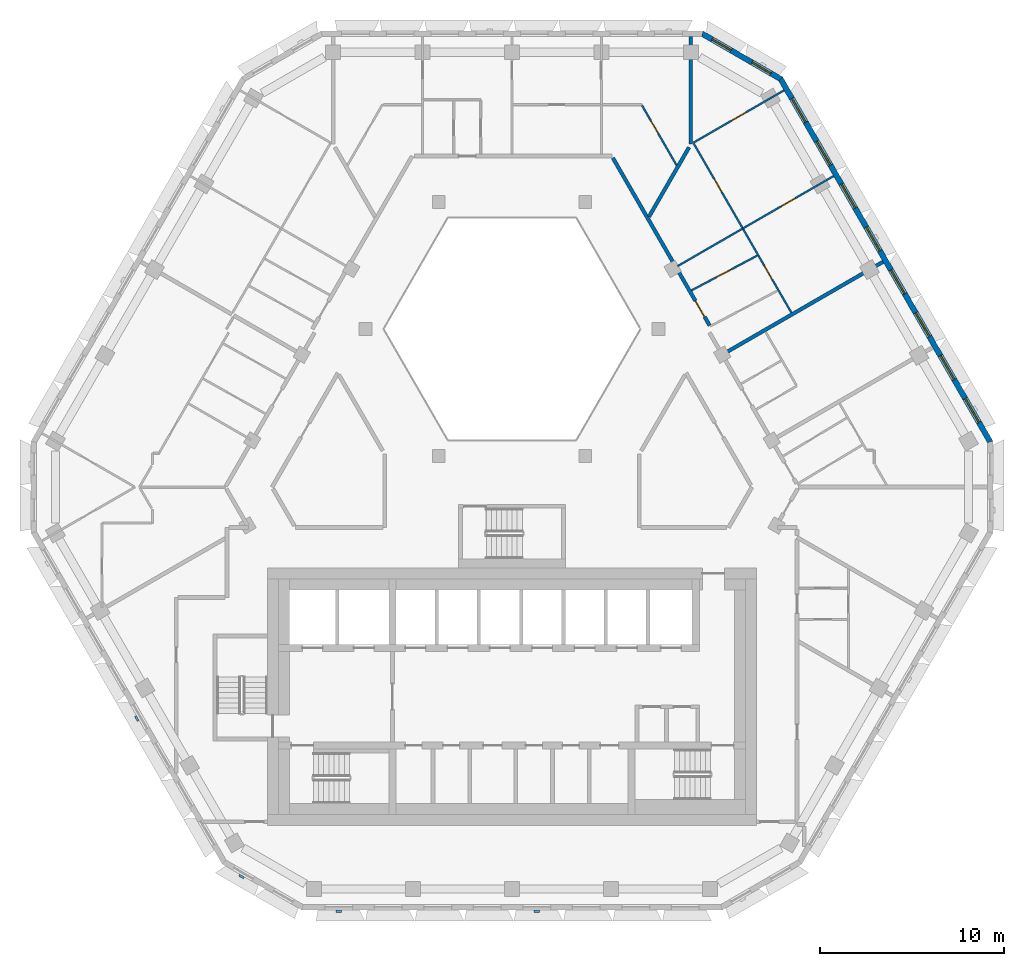
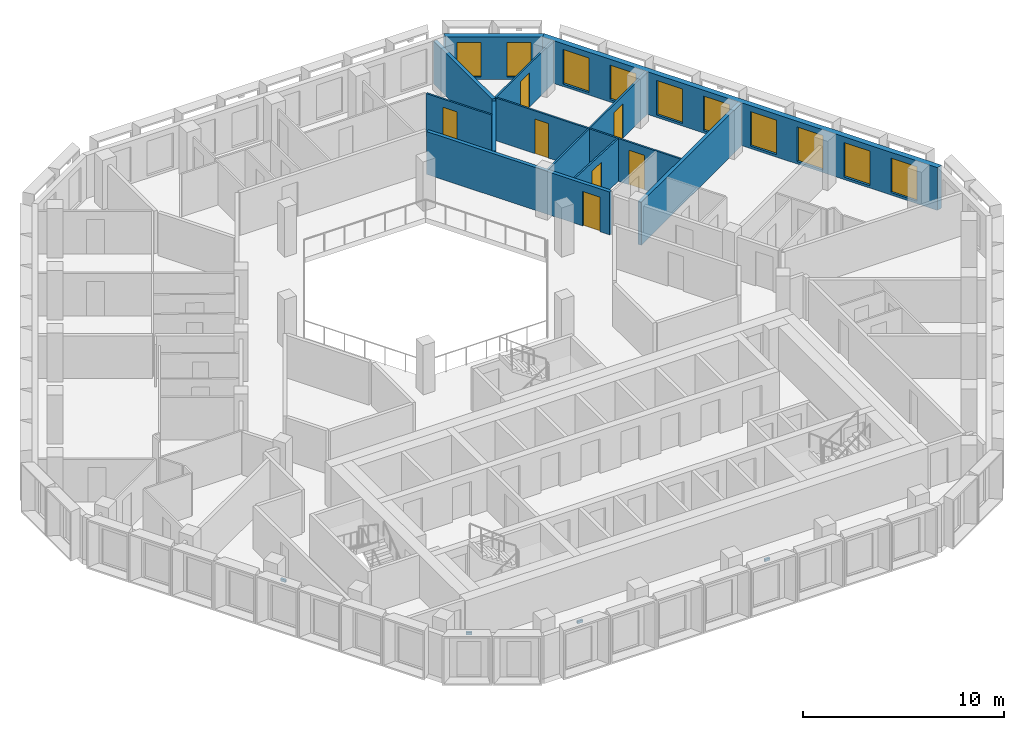
# One storey, part 9 of 18: 12 walls, 10 windows, 7 doors, 4 discrete accessories, 17 openings.
"""IFC4 building model written with IfcOpenShell, lengths in metres."""

from ifc_helpers import new_model, si_unit, direction, frame, frame_2d, origin, place, context, subcontext, project, spatial, polyline, rectangle, outline, extrude, source, transform, mapped, material, layer, layer_set, type_object, type_shapes, element, fill, save


model = new_model("IFC4")

# Units and contexts
model_context = context("Model", 3, precision=1e-05, world=origin(), true_north=direction((0.0, 1.0)))
body_context = subcontext(model_context, "Body", "Model", "MODEL_VIEW")
ifc_project = project(units=[si_unit("LENGTHUNIT", "METRE"), si_unit("AREAUNIT", "SQUARE_METRE"), si_unit("VOLUMEUNIT", "CUBIC_METRE"), si_unit("PLANEANGLEUNIT", "RADIAN"), si_unit("MASSUNIT", "GRAM", prefix="KILO")], contexts=[model_context])

# Site, building, storey
site_placement = place(None, origin())
site = spatial("IfcSite", under=ifc_project, at=site_placement, CompositionType="ELEMENT")
building_placement = place(site_placement, origin())
building = spatial("IfcBuilding", under=site, at=building_placement, Name="Beryl Residences", CompositionType="ELEMENT")
storey_placement = place(building_placement, frame((0.0, 0.0, 196.199951171875)))
storey = spatial("IfcBuildingStorey", under=building, at=storey_placement, Name="L60", CompositionType="ELEMENT", Elevation=196.199951171875)

# Wall, openings, windows
ifc_material_1 = material(Name="Composite metal panel with mineral wool insulation")
ifc_layer_1 = layer(ifc_material_1, 0.300048828125)
ifc_layer_set_1 = layer_set([ifc_layer_1], Name="ES1 pale metal composite panel wall 300 mm")
wall_type_1 = type_object("IfcWallType", Name="ES1 pale metal composite panel wall 300 mm", PredefinedType="SOLIDWALL", material=ifc_layer_set_1)
wall_1_placement = place(storey_placement, frame((26.02392578125, 1.824951171875, 0.0), z_axis=(0.0, 0.0, 1.0), x_axis=(-0.500010537973, 0.866019319597, 0.0)))
wall_1 = element("IfcWall", 1, at=wall_1_placement, inside=storey, type_object=wall_type_1, Name="ES1 external wall L60 NE", PredefinedType="SOLIDWALL", context=body_context, shape_type="SweptSolid", body=[
    extrude(outline(polyline([(0.0, -0.14990234375), (22.86328125, -0.14990234375), (22.782958984375, 0.14990234375), (0.080322265625, 0.14990234375), (0.0, -0.14990234375)])), origin(), (0.0, 0.0, 1.0), 2.60009765625),
])
opening_1_placement = place(wall_1_placement, frame((1.259033203125, 0.0, 0.14990234375)))
opening_1 = element("IfcOpeningElement", 2, at=opening_1_placement, cuts=wall_1, Name="Opening W1", PredefinedType="OPENING", context=body_context, shape_type="SweptSolid", body=[
    extrude(rectangle(XDim=1.5, YDim=2.10009765625, at=frame_2d((0.75, 1.050048828125))), frame((0.0, 0.159912109375, 0.0), z_axis=(0.0, -1.0, 0.0), x_axis=(1.0, 0.0, 0.0)), (0.0, 0.0, 1.0), 0.320068359375),
])
opening_2_placement = place(wall_1_placement, frame((3.951904296875, 0.0, 0.14990234375)))
opening_2 = element("IfcOpeningElement", 3, at=opening_2_placement, cuts=wall_1, Name="Opening W1", PredefinedType="OPENING", context=body_context, shape_type="SweptSolid", body=[
    extrude(rectangle(XDim=1.5, YDim=2.10009765625, at=frame_2d((0.75, 1.050048828125))), frame((0.0, 0.159912109375, 0.0), z_axis=(0.0, -1.0, 0.0), x_axis=(1.0, 0.0, 0.0)), (0.0, 0.0, 1.0), 0.320068359375),
])
opening_3_placement = place(wall_1_placement, frame((6.64404296875, 0.0, 0.14990234375)))
opening_3 = element("IfcOpeningElement", 4, at=opening_3_placement, cuts=wall_1, Name="Opening W1", PredefinedType="OPENING", context=body_context, shape_type="SweptSolid", body=[
    extrude(rectangle(XDim=1.5, YDim=2.10009765625, at=frame_2d((0.75, 1.050048828125))), frame((0.0, 0.159912109375, 0.0), z_axis=(0.0, -1.0, 0.0), x_axis=(1.0, 0.0, 0.0)), (0.0, 0.0, 1.0), 0.320068359375),
])
opening_4_placement = place(wall_1_placement, frame((9.3349609375, 0.0, 0.14990234375)))
opening_4 = element("IfcOpeningElement", 5, at=opening_4_placement, cuts=wall_1, Name="Opening W1", PredefinedType="OPENING", context=body_context, shape_type="SweptSolid", body=[
    extrude(rectangle(XDim=1.5, YDim=2.10009765625, at=frame_2d((0.75, 1.050048828125))), frame((0.0, 0.159912109375, 0.0), z_axis=(0.0, -1.0, 0.0), x_axis=(1.0, 0.0, 0.0)), (0.0, 0.0, 1.0), 0.320068359375),
])
opening_5_placement = place(wall_1_placement, frame((12.028076171875, 0.0, 0.14990234375)))
opening_5 = element("IfcOpeningElement", 6, at=opening_5_placement, cuts=wall_1, Name="Opening W1", PredefinedType="OPENING", context=body_context, shape_type="SweptSolid", body=[
    extrude(rectangle(XDim=1.5, YDim=2.10009765625, at=frame_2d((0.75, 1.050048828125))), frame((0.0, 0.159912109375, 0.0), z_axis=(0.0, -1.0, 0.0), x_axis=(1.0, 0.0, 0.0)), (0.0, 0.0, 1.0), 0.320068359375),
])
opening_6_placement = place(wall_1_placement, frame((14.719970703125, 0.0, 0.14990234375)))
opening_6 = element("IfcOpeningElement", 7, at=opening_6_placement, cuts=wall_1, Name="Opening W1", PredefinedType="OPENING", context=body_context, shape_type="SweptSolid", body=[
    extrude(rectangle(XDim=1.5, YDim=2.10009765625, at=frame_2d((0.75, 1.050048828125))), frame((0.0, 0.159912109375, 0.0), z_axis=(0.0, -1.0, 0.0), x_axis=(1.0, 0.0, 0.0)), (0.0, 0.0, 1.0), 0.320068359375),
])
opening_7_placement = place(wall_1_placement, frame((17.410888671875, 0.0, 0.14990234375)))
opening_7 = element("IfcOpeningElement", 8, at=opening_7_placement, cuts=wall_1, Name="Opening W1", PredefinedType="OPENING", context=body_context, shape_type="SweptSolid", body=[
    extrude(rectangle(XDim=1.5, YDim=2.10009765625, at=frame_2d((0.75, 1.050048828125))), frame((0.0, 0.159912109375, 0.0), z_axis=(0.0, -1.0, 0.0), x_axis=(1.0, 0.0, 0.0)), (0.0, 0.0, 1.0), 0.320068359375),
])
opening_8_placement = place(wall_1_placement, frame((20.10400390625, 0.0, 0.14990234375)))
opening_8 = element("IfcOpeningElement", 9, at=opening_8_placement, cuts=wall_1, Name="Opening W1", PredefinedType="OPENING", context=body_context, shape_type="SweptSolid", body=[
    extrude(rectangle(XDim=1.5, YDim=2.10009765625, at=frame_2d((0.75, 1.050048828125))), frame((0.0, 0.159912109375, 0.0), z_axis=(0.0, -1.0, 0.0), x_axis=(1.0, 0.0, 0.0)), (0.0, 0.0, 1.0), 0.320068359375),
])
ifc_material_2 = material(Name="Aluminium and clear glass", Category="aluminium")
window_type_1 = type_object("IfcWindowType", Name="W1 cell window 1500 x 2100 mm", PartitioningType="SINGLE_PANEL", PredefinedType="WINDOW", material=ifc_material_2)
window_1_placement = place(opening_1_placement, origin())
window_1 = element("IfcWindow", 10, at=window_1_placement, inside=storey, type_object=window_type_1, Name="W1 window L60 NE 1", OverallHeight=2.10009765625, OverallWidth=1.5, PartitioningType="SINGLE_PANEL", PredefinedType="WINDOW", context=body_context, shape_type="SweptSolid", body=[
    extrude(rectangle(XDim=1.5, YDim=2.10009765625, at=frame_2d((0.75, 1.050048828125))), frame((0.0, 0.030029296875, 0.0), z_axis=(0.0, -1.0, 0.0), x_axis=(1.0, 0.0, 0.0)), (0.0, 0.0, 1.0), 0.06005859375),
])
fill(opening_1, window_1)
window_2_placement = place(opening_2_placement, origin())
window_2 = element("IfcWindow", 11, at=window_2_placement, inside=storey, type_object=window_type_1, Name="W1 window L60 NE 2", OverallHeight=2.10009765625, OverallWidth=1.5, PartitioningType="SINGLE_PANEL", PredefinedType="WINDOW", context=body_context, shape_type="SweptSolid", body=[
    extrude(rectangle(XDim=1.5, YDim=2.10009765625, at=frame_2d((0.75, 1.050048828125))), frame((0.0, 0.030029296875, 0.0), z_axis=(0.0, -1.0, 0.0), x_axis=(1.0, 0.0, 0.0)), (0.0, 0.0, 1.0), 0.06005859375),
])
fill(opening_2, window_2)
window_3_placement = place(opening_3_placement, origin())
window_3 = element("IfcWindow", 12, at=window_3_placement, inside=storey, type_object=window_type_1, Name="W1 window L60 NE 3", OverallHeight=2.10009765625, OverallWidth=1.5, PartitioningType="SINGLE_PANEL", PredefinedType="WINDOW", context=body_context, shape_type="SweptSolid", body=[
    extrude(rectangle(XDim=1.5, YDim=2.10009765625, at=frame_2d((0.75, 1.050048828125))), frame((0.0, 0.030029296875, 0.0), z_axis=(0.0, -1.0, 0.0), x_axis=(1.0, 0.0, 0.0)), (0.0, 0.0, 1.0), 0.06005859375),
])
fill(opening_3, window_3)
window_4_placement = place(opening_4_placement, origin())
window_4 = element("IfcWindow", 13, at=window_4_placement, inside=storey, type_object=window_type_1, Name="W1 window L60 NE 4", OverallHeight=2.10009765625, OverallWidth=1.5, PartitioningType="SINGLE_PANEL", PredefinedType="WINDOW", context=body_context, shape_type="SweptSolid", body=[
    extrude(rectangle(XDim=1.5, YDim=2.10009765625, at=frame_2d((0.75, 1.050048828125))), frame((0.0, 0.030029296875, 0.0), z_axis=(0.0, -1.0, 0.0), x_axis=(1.0, 0.0, 0.0)), (0.0, 0.0, 1.0), 0.06005859375),
])
fill(opening_4, window_4)
window_5_placement = place(opening_5_placement, origin())
window_5 = element("IfcWindow", 14, at=window_5_placement, inside=storey, type_object=window_type_1, Name="W1 window L60 NE 5", OverallHeight=2.10009765625, OverallWidth=1.5, PartitioningType="SINGLE_PANEL", PredefinedType="WINDOW", context=body_context, shape_type="SweptSolid", body=[
    extrude(rectangle(XDim=1.5, YDim=2.10009765625, at=frame_2d((0.75, 1.050048828125))), frame((0.0, 0.030029296875, 0.0), z_axis=(0.0, -1.0, 0.0), x_axis=(1.0, 0.0, 0.0)), (0.0, 0.0, 1.0), 0.06005859375),
])
fill(opening_5, window_5)
window_6_placement = place(opening_6_placement, origin())
window_6 = element("IfcWindow", 15, at=window_6_placement, inside=storey, type_object=window_type_1, Name="W1 window L60 NE 6", OverallHeight=2.10009765625, OverallWidth=1.5, PartitioningType="SINGLE_PANEL", PredefinedType="WINDOW", context=body_context, shape_type="SweptSolid", body=[
    extrude(rectangle(XDim=1.5, YDim=2.10009765625, at=frame_2d((0.75, 1.050048828125))), frame((0.0, 0.030029296875, 0.0), z_axis=(0.0, -1.0, 0.0), x_axis=(1.0, 0.0, 0.0)), (0.0, 0.0, 1.0), 0.06005859375),
])
fill(opening_6, window_6)
window_7_placement = place(opening_7_placement, origin())
window_7 = element("IfcWindow", 16, at=window_7_placement, inside=storey, type_object=window_type_1, Name="W1 window L60 NE 7", OverallHeight=2.10009765625, OverallWidth=1.5, PartitioningType="SINGLE_PANEL", PredefinedType="WINDOW", context=body_context, shape_type="SweptSolid", body=[
    extrude(rectangle(XDim=1.5, YDim=2.10009765625, at=frame_2d((0.75, 1.050048828125))), frame((0.0, 0.030029296875, 0.0), z_axis=(0.0, -1.0, 0.0), x_axis=(1.0, 0.0, 0.0)), (0.0, 0.0, 1.0), 0.06005859375),
])
fill(opening_7, window_7)
window_8_placement = place(opening_8_placement, origin())
window_8 = element("IfcWindow", 17, at=window_8_placement, inside=storey, type_object=window_type_1, Name="W1 window L60 NE 8", OverallHeight=2.10009765625, OverallWidth=1.5, PartitioningType="SINGLE_PANEL", PredefinedType="WINDOW", context=body_context, shape_type="SweptSolid", body=[
    extrude(rectangle(XDim=1.5, YDim=2.10009765625, at=frame_2d((0.75, 1.050048828125))), frame((0.0, 0.030029296875, 0.0), z_axis=(0.0, -1.0, 0.0), x_axis=(1.0, 0.0, 0.0)), (0.0, 0.0, 1.0), 0.06005859375),
])
fill(opening_8, window_8)

wall_2_placement = place(storey_placement, frame((14.64697265625, 21.570068359375, 0.0), z_axis=(0.0, 0.0, 1.0), x_axis=(-0.866022959057, 0.500004234368, 0.0)))
wall_2 = element("IfcWall", 18, at=wall_2_placement, inside=storey, type_object=wall_type_1, Name="ES1 external wall L60 NE-N", PredefinedType="SOLIDWALL", context=body_context, shape_type="SweptSolid", body=[
    extrude(outline(polyline([(0.0, -0.14990234375), (5.0, -0.14990234375), (4.919677734375, 0.14990234375), (0.080322265625, 0.14990234375), (0.0, -0.14990234375)])), origin(), (0.0, 0.0, 1.0), 2.60009765625),
])
opening_9_placement = place(wall_2_placement, frame((0.64990234375, 0.0, 0.14990234375)))
opening_9 = element("IfcOpeningElement", 19, at=opening_9_placement, cuts=wall_2, Name="Opening W2", PredefinedType="OPENING", context=body_context, shape_type="SweptSolid", body=[
    extrude(rectangle(XDim=1.199951171875, YDim=2.10009765625, at=frame_2d((0.60009765625, 1.050048828125))), frame((0.0, 0.159912109375, 0.0), z_axis=(0.0, -1.0, 0.0), x_axis=(1.0, 0.0, 0.0)), (0.0, 0.0, 1.0), 0.320068359375),
])
opening_10_placement = place(wall_2_placement, frame((3.14990234375, 0.0, 0.14990234375)))
opening_10 = element("IfcOpeningElement", 20, at=opening_10_placement, cuts=wall_2, Name="Opening W2", PredefinedType="OPENING", context=body_context, shape_type="SweptSolid", body=[
    extrude(rectangle(XDim=1.199951171875, YDim=2.10009765625, at=frame_2d((0.60009765625, 1.050048828125))), frame((0.0, 0.159912109375, 0.0), z_axis=(0.0, -1.0, 0.0), x_axis=(1.0, 0.0, 0.0)), (0.0, 0.0, 1.0), 0.320068359375),
])
ifc_material_3 = material(Name="Aluminium and clear glass", Category="aluminium")
window_type_2 = type_object("IfcWindowType", Name="W2 chamfer window 1200 x 2100 mm", PartitioningType="SINGLE_PANEL", PredefinedType="WINDOW", material=ifc_material_3)
window_9_placement = place(opening_9_placement, origin())
window_9 = element("IfcWindow", 21, at=window_9_placement, inside=storey, type_object=window_type_2, Name="W2 window L60 NE-N 1", OverallHeight=2.10009765625, OverallWidth=1.199951171875, PartitioningType="SINGLE_PANEL", PredefinedType="WINDOW", context=body_context, shape_type="SweptSolid", body=[
    extrude(rectangle(XDim=1.199951171875, YDim=2.10009765625, at=frame_2d((0.60009765625, 1.050048828125))), frame((0.0, 0.030029296875, 0.0), z_axis=(0.0, -1.0, 0.0), x_axis=(1.0, 0.0, 0.0)), (0.0, 0.0, 1.0), 0.06005859375),
])
fill(opening_9, window_9)
window_10_placement = place(opening_10_placement, origin())
window_10 = element("IfcWindow", 22, at=window_10_placement, inside=storey, type_object=window_type_2, Name="W2 window L60 NE-N 2", OverallHeight=2.10009765625, OverallWidth=1.199951171875, PartitioningType="SINGLE_PANEL", PredefinedType="WINDOW", context=body_context, shape_type="SweptSolid", body=[
    extrude(rectangle(XDim=1.199951171875, YDim=2.10009765625, at=frame_2d((0.60009765625, 1.050048828125))), frame((0.0, 0.030029296875, 0.0), z_axis=(0.0, -1.0, 0.0), x_axis=(1.0, 0.0, 0.0)), (0.0, 0.0, 1.0), 0.06005859375),
])
fill(opening_10, window_10)

# Wall, opening, door
ifc_material_4 = material(Name="Gypsum board partition on steel studs", Category="steel")
ifc_layer_2 = layer(ifc_material_4, 0.10009765625)
ifc_layer_set_2 = layer_set([ifc_layer_2], Name="PT1 partition 100 mm gypsum board on steel studs")
wall_type_2 = type_object("IfcWallType", Name="PT1 partition 100 mm gypsum board on steel studs", PredefinedType="PARTITIONING", material=ifc_layer_set_2)
wall_3_placement = place(storey_placement, frame((7.072998046875, 20.14990234375, 0.0), z_axis=(0.0, 0.0, 1.0), x_axis=(0.499917691695, -0.866072919292, 0.0)))
wall_3 = element("IfcWall", 23, at=wall_3_placement, inside=storey, type_object=wall_type_2, Name="Wall PT1 L60 003", PredefinedType="PARTITIONING", context=body_context, shape_type="SweptSolid", body=[
    extrude(rectangle(XDim=3.752685546875, YDim=0.10009765625, at=frame_2d((1.87646484375, 0.0))), origin(), (0.0, 0.0, 1.0), 2.60009765625),
])
opening_11_placement = place(wall_3_placement, frame((0.9599609375, 0.0, 0.0)))
opening_11 = element("IfcOpeningElement", 24, at=opening_11_placement, cuts=wall_3, Name="Opening D1514", PredefinedType="OPENING", context=body_context, shape_type="SweptSolid", body=[
    extrude(rectangle(XDim=0.800048828125, YDim=2.10009765625, at=frame_2d((0.39990234375, 1.050048828125))), frame((0.0, 0.06005859375, 0.0), z_axis=(0.0, -1.0, 0.0), x_axis=(1.0, 0.0, 0.0)), (0.0, 0.0, 1.0), 0.1201171875),
])
ifc_material_5 = material(Name="Timber door leaf", Category="wood")
door_type_1 = type_object("IfcDoorType", Name="D3 bathroom door 800 x 2100 mm", OperationType="SINGLE_SWING_LEFT", PredefinedType="DOOR", material=ifc_material_5)
door_1_placement = place(opening_11_placement, origin())
door_1 = element("IfcDoor", 25, at=door_1_placement, inside=storey, type_object=door_type_1, Name="Door D1514 L60 001", OperationType="SINGLE_SWING_RIGHT", OverallHeight=2.10009765625, OverallWidth=0.800048828125, PredefinedType="DOOR", context=body_context, shape_type="SweptSolid", body=[
    extrude(rectangle(XDim=0.800048828125, YDim=2.10009765625, at=frame_2d((0.39990234375, 1.050048828125))), frame((0.0, 0.02490234375, 0.0), z_axis=(0.0, -1.0, 0.0), x_axis=(1.0, 0.0, 0.0)), (0.0, 0.0, 1.0), 0.050048828125),
])
fill(opening_11, door_1)

# Wall, openings, doors
wall_4_placement = place(storey_placement, frame((9.883056640625, 18.08203125, 0.0), z_axis=(0.0, 0.0, 1.0), x_axis=(0.500004428835, -0.86602284678, 0.0)))
wall_4 = element("IfcWall", 26, at=wall_4_placement, inside=storey, type_object=wall_type_2, Name="Wall PT1 L60 006", PredefinedType="PARTITIONING", context=body_context, shape_type="SweptSolid", body=[
    extrude(rectangle(XDim=10.61767578125, YDim=0.10009765625, at=frame_2d((5.308837890625, 0.0))), origin(), (0.0, 0.0, 1.0), 2.60009765625),
])
opening_12_placement = place(wall_4_placement, frame((7.656982421875, 0.0, 0.0)))
opening_12 = element("IfcOpeningElement", 27, at=opening_12_placement, cuts=wall_4, Name="Opening D1504", PredefinedType="OPENING", context=body_context, shape_type="SweptSolid", body=[
    extrude(rectangle(XDim=0.89990234375, YDim=2.10009765625, at=frame_2d((0.449951171875, 1.050048828125))), frame((0.0, 0.06005859375, 0.0), z_axis=(0.0, -1.0, 0.0), x_axis=(1.0, 0.0, 0.0)), (0.0, 0.0, 1.0), 0.1201171875),
])
opening_13_placement = place(wall_4_placement, frame((2.241943359375, 0.0, 0.0)))
opening_13 = element("IfcOpeningElement", 28, at=opening_13_placement, cuts=wall_4, Name="Opening D1507", PredefinedType="OPENING", context=body_context, shape_type="SweptSolid", body=[
    extrude(rectangle(XDim=0.800048828125, YDim=2.10009765625, at=frame_2d((0.39990234375, 1.050048828125))), frame((0.0, 0.06005859375, 0.0), z_axis=(0.0, -1.0, 0.0), x_axis=(1.0, 0.0, 0.0)), (0.0, 0.0, 1.0), 0.1201171875),
])
ifc_material_6 = material(Name="Timber door leaf", Category="wood")
door_type_2 = type_object("IfcDoorType", Name="D2 room door 900 x 2100 mm", OperationType="SINGLE_SWING_LEFT", PredefinedType="DOOR", material=ifc_material_6)
door_2_placement = place(opening_12_placement, origin())
door_2 = element("IfcDoor", 29, at=door_2_placement, inside=storey, type_object=door_type_2, Name="Door D1504 L60 001", OperationType="SINGLE_SWING_RIGHT", OverallHeight=2.10009765625, OverallWidth=0.89990234375, PredefinedType="DOOR", context=body_context, shape_type="SweptSolid", body=[
    extrude(rectangle(XDim=0.89990234375, YDim=2.10009765625, at=frame_2d((0.449951171875, 1.050048828125))), frame((0.0, 0.02490234375, 0.0), z_axis=(0.0, -1.0, 0.0), x_axis=(1.0, 0.0, 0.0)), (0.0, 0.0, 1.0), 0.050048828125),
])
fill(opening_12, door_2)
door_3_placement = place(opening_13_placement, origin())
door_3 = element("IfcDoor", 30, at=door_3_placement, inside=storey, type_object=door_type_1, Name="Door D1507 L60 001", OperationType="SINGLE_SWING_LEFT", OverallHeight=2.10009765625, OverallWidth=0.800048828125, PredefinedType="DOOR", context=body_context, shape_type="SweptSolid", body=[
    extrude(rectangle(XDim=0.800048828125, YDim=2.10009765625, at=frame_2d((0.39990234375, 1.050048828125))), frame((0.0, 0.02490234375, 0.0), z_axis=(0.0, -1.0, 0.0), x_axis=(1.0, 0.0, 0.0)), (0.0, 0.0, 1.0), 0.050048828125),
])
fill(opening_13, door_3)

# Wall, opening, door
wall_5_placement = place(storey_placement, frame((9.760009765625, 10.095947265625, 0.0), z_axis=(0.0, 0.0, 1.0), x_axis=(0.883925629136, 0.467627503636, 0.0)))
wall_5 = element("IfcWall", 31, at=wall_5_placement, inside=storey, type_object=wall_type_2, Name="Wall PT1 L60 040", PredefinedType="PARTITIONING", context=body_context, shape_type="SweptSolid", body=[
    extrude(rectangle(XDim=4.052490234375, YDim=0.10009765625, at=frame_2d((2.0263671875, 0.0))), origin(), (0.0, 0.0, 1.0), 2.60009765625),
])
opening_14_placement = place(wall_5_placement, frame((1.551025390625, 0.0, 0.0)))
opening_14 = element("IfcOpeningElement", 32, at=opening_14_placement, cuts=wall_5, Name="Opening D1503", PredefinedType="OPENING", context=body_context, shape_type="SweptSolid", body=[
    extrude(rectangle(XDim=0.89990234375, YDim=2.10009765625, at=frame_2d((0.449951171875, 1.050048828125))), frame((0.0, 0.06005859375, 0.0), z_axis=(0.0, -1.0, 0.0), x_axis=(1.0, 0.0, 0.0)), (0.0, 0.0, 1.0), 0.1201171875),
])
door_4_placement = place(opening_14_placement, origin())
door_4 = element("IfcDoor", 33, at=door_4_placement, inside=storey, type_object=door_type_2, Name="Door D1503 L60 001", OperationType="SINGLE_SWING_LEFT", OverallHeight=2.10009765625, OverallWidth=0.89990234375, PredefinedType="DOOR", context=body_context, shape_type="SweptSolid", body=[
    extrude(rectangle(XDim=0.89990234375, YDim=2.10009765625, at=frame_2d((0.449951171875, 1.050048828125))), frame((0.0, 0.02490234375, 0.0), z_axis=(0.0, -1.0, 0.0), x_axis=(1.0, 0.0, 0.0)), (0.0, 0.0, 1.0), 0.050048828125),
])
fill(opening_14, door_4)

# Wall
wall_6_placement = place(storey_placement, frame((8.9990234375, 11.4130859375, 0.0), z_axis=(0.0, 0.0, 1.0), x_axis=(0.86606561423, 0.499930346997, 0.0)))
element("IfcWall", 34, at=wall_6_placement, inside=storey, type_object=wall_type_2, Name="Wall PT1 L60 044", PredefinedType="PARTITIONING", context=body_context, shape_type="SweptSolid", body=[
    extrude(rectangle(XDim=4.10009765625, YDim=0.10009765625, at=frame_2d((2.050048828125, 0.0))), origin(), (0.0, 0.0, 1.0), 2.60009765625),
])

# Wall, opening, door
wall_7_placement = place(storey_placement, frame((9.85791015625, 18.125, 0.0), z_axis=(0.0, 0.0, 1.0), x_axis=(0.866004402611, 0.500036373335, 0.0)))
wall_7 = element("IfcWall", 35, at=wall_7_placement, inside=storey, type_object=wall_type_2, Name="Wall PT1 L60 046", PredefinedType="PARTITIONING", context=body_context, shape_type="SweptSolid", body=[
    extrude(rectangle(XDim=5.69970703125, YDim=0.10009765625, at=frame_2d((2.849853515625, 0.0))), origin(), (0.0, 0.0, 1.0), 2.60009765625),
])
opening_15_placement = place(wall_7_placement, frame((2.39990234375, 0.0, 0.0)))
opening_15 = element("IfcOpeningElement", 36, at=opening_15_placement, cuts=wall_7, Name="Opening D1506", PredefinedType="OPENING", context=body_context, shape_type="SweptSolid", body=[
    extrude(rectangle(XDim=0.89990234375, YDim=2.10009765625, at=frame_2d((0.449951171875, 1.050048828125))), frame((0.0, 0.06005859375, 0.0), z_axis=(0.0, -1.0, 0.0), x_axis=(1.0, 0.0, 0.0)), (0.0, 0.0, 1.0), 0.1201171875),
])
door_5_placement = place(opening_15_placement, origin())
door_5 = element("IfcDoor", 37, at=door_5_placement, inside=storey, type_object=door_type_2, Name="Door D1506 L60 001", OperationType="SINGLE_SWING_RIGHT", OverallHeight=2.10009765625, OverallWidth=0.89990234375, PredefinedType="DOOR", context=body_context, shape_type="SweptSolid", body=[
    extrude(rectangle(XDim=0.89990234375, YDim=2.10009765625, at=frame_2d((0.449951171875, 1.050048828125))), frame((0.0, 0.02490234375, 0.0), z_axis=(0.0, -1.0, 0.0), x_axis=(1.0, 0.0, 0.0)), (0.0, 0.0, 1.0), 0.050048828125),
])
fill(opening_15, door_5)

wall_8_placement = place(storey_placement, frame((12.550048828125, 13.462890625, 0.0), z_axis=(0.0, 0.0, 1.0), x_axis=(0.866004402611, 0.500036373335, 0.0)))
wall_8 = element("IfcWall", 38, at=wall_8_placement, inside=storey, type_object=wall_type_2, Name="Wall PT1 L60 049", PredefinedType="PARTITIONING", context=body_context, shape_type="SweptSolid", body=[
    extrude(rectangle(XDim=5.69970703125, YDim=0.10009765625, at=frame_2d((2.849853515625, 0.0))), origin(), (0.0, 0.0, 1.0), 2.60009765625),
])
opening_16_placement = place(wall_8_placement, frame((2.39990234375, 0.0, 0.0)))
opening_16 = element("IfcOpeningElement", 39, at=opening_16_placement, cuts=wall_8, Name="Opening D1505", PredefinedType="OPENING", context=body_context, shape_type="SweptSolid", body=[
    extrude(rectangle(XDim=0.89990234375, YDim=2.10009765625, at=frame_2d((0.449951171875, 1.050048828125))), frame((0.0, 0.06005859375, 0.0), z_axis=(0.0, -1.0, 0.0), x_axis=(1.0, 0.0, 0.0)), (0.0, 0.0, 1.0), 0.1201171875),
])
door_6_placement = place(opening_16_placement, origin())
door_6 = element("IfcDoor", 40, at=door_6_placement, inside=storey, type_object=door_type_2, Name="Door D1505 L60 001", OperationType="SINGLE_SWING_LEFT", OverallHeight=2.10009765625, OverallWidth=0.89990234375, PredefinedType="DOOR", context=body_context, shape_type="SweptSolid", body=[
    extrude(rectangle(XDim=0.89990234375, YDim=2.10009765625, at=frame_2d((0.449951171875, 1.050048828125))), frame((0.0, 0.02490234375, 0.0), z_axis=(0.0, -1.0, 0.0), x_axis=(1.0, 0.0, 0.0)), (0.0, 0.0, 1.0), 0.050048828125),
])
fill(opening_16, door_6)

# Walls
ifc_material_7 = material(Name="Acoustic double stud gypsum board wall")
ifc_layer_3 = layer(ifc_material_7, 0.199951171875)
ifc_layer_set_3 = layer_set([ifc_layer_3], Name="PT3 party wall 200 mm acoustic double stud")
wall_type_3 = type_object("IfcWallType", Name="PT3 party wall 200 mm acoustic double stud", PredefinedType="PARTITIONING", material=ifc_layer_set_3)
wall_9_placement = place(storey_placement, frame((7.447998046875, 14.10009765625, 0.0), z_axis=(0.0, 0.0, 1.0), x_axis=(0.499961462843, 0.866047652079, 0.0)))
element("IfcWall", 41, at=wall_9_placement, inside=storey, type_object=wall_type_3, Name="Wall PT3 L60 008", PredefinedType="PARTITIONING", context=body_context, shape_type="SweptSolid", body=[
    extrude(rectangle(XDim=4.362060546875, YDim=0.199951171875, at=frame_2d((2.18115234375, 0.0))), origin(), (0.0, 0.0, 1.0), 2.60009765625),
])
wall_10_placement = place(storey_placement, frame((9.72802734375, 18.049072265625, 0.0), z_axis=(0.0, 0.0, 1.0), x_axis=(0.0, 1.0, 0.0)))
element("IfcWall", 42, at=wall_10_placement, inside=storey, type_object=wall_type_3, Name="Wall PT3 L60 009", PredefinedType="PARTITIONING", context=body_context, shape_type="SweptSolid", body=[
    extrude(rectangle(XDim=5.850830078125, YDim=0.199951171875, at=frame_2d((2.92529296875, 0.0))), origin(), (0.0, 0.0, 1.0), 2.60009765625),
])
wall_11_placement = place(storey_placement, frame((11.51806640625, 6.64990234375, 0.0), z_axis=(0.0, 0.0, 1.0), x_axis=(0.866016855193, 0.500014806302, 0.0)))
element("IfcWall", 43, at=wall_11_placement, inside=storey, type_object=wall_type_3, Name="Wall PT3 L60 012", PredefinedType="PARTITIONING", context=body_context, shape_type="SweptSolid", body=[
    extrude(rectangle(XDim=9.999755859375, YDim=0.199951171875, at=frame_2d((5.0, 0.0))), origin(), (0.0, 0.0, 1.0), 2.60009765625),
])

# Wall, opening, door
ifc_material_8 = material(Name="Double stud gypsum board wall")
ifc_layer_4 = layer(ifc_material_8, 0.199951171875)
ifc_layer_set_4 = layer_set([ifc_layer_4], Name="PT4 corridor wall 200 mm double stud")
wall_type_4 = type_object("IfcWallType", Name="PT4 corridor wall 200 mm double stud", PredefinedType="PARTITIONING", material=ifc_layer_set_4)
wall_12_placement = place(storey_placement, frame((5.485107421875, 17.300048828125, 0.0), z_axis=(0.0, 0.0, 1.0), x_axis=(0.499998905622, -0.866026035623, 0.0)))
wall_12 = element("IfcWall", 44, at=wall_12_placement, inside=storey, type_object=wall_type_4, Name="Wall PT4 L60 006", PredefinedType="PARTITIONING", context=body_context, shape_type="SweptSolid", body=[
    extrude(rectangle(XDim=10.52392578125, YDim=0.199951171875, at=frame_2d((5.261962890625, 0.0))), origin(), (0.0, 0.0, 1.0), 2.60009765625),
])
opening_17_placement = place(wall_12_placement, frame((8.97412109375, 0.0, 0.0)))
opening_17 = element("IfcOpeningElement", 45, at=opening_17_placement, cuts=wall_12, Name="Opening D1501", PredefinedType="OPENING", context=body_context, shape_type="SweptSolid", body=[
    extrude(rectangle(XDim=1.0, YDim=2.10009765625, at=frame_2d((0.5, 1.050048828125))), frame((0.0, 0.10986328125, 0.0), z_axis=(0.0, -1.0, 0.0), x_axis=(1.0, 0.0, 0.0)), (0.0, 0.0, 1.0), 0.219970703125),
])
ifc_material_9 = material(Name="Timber door leaf", Category="wood")
door_type_3 = type_object("IfcDoorType", Name="D1 flat entrance door 1000 x 2100 mm", OperationType="SINGLE_SWING_LEFT", PredefinedType="DOOR", material=ifc_material_9)
door_7_placement = place(opening_17_placement, origin())
door_7 = element("IfcDoor", 46, at=door_7_placement, inside=storey, type_object=door_type_3, Name="Door D1501 L60 001", OperationType="SINGLE_SWING_LEFT", OverallHeight=2.10009765625, OverallWidth=1.0, PredefinedType="DOOR", context=body_context, shape_type="SweptSolid", body=[
    extrude(rectangle(XDim=1.0, YDim=2.10009765625, at=frame_2d((0.5, 1.050048828125))), frame((0.0, 0.02490234375, 0.0), z_axis=(0.0, -1.0, 0.0), x_axis=(1.0, 0.0, 0.0)), (0.0, 0.0, 1.0), 0.050048828125),
])
fill(opening_17, door_7)

# Discrete accessories
ifc_material_10 = material(Name="Steel S355", Category="steel")
discrete_accessory_type = type_object("IfcDiscreteAccessoryType", Name="BR1 frame bracket 300 x 120 x 150 mm", PredefinedType="BRACKET", material=ifc_material_10)
shared_shape = source(origin(), body_context, "Body", "SweptSolid", [
    extrude(outline(polyline([(-0.14990234375, 0.0), (0.14990234375, 0.0), (0.14990234375, 0.1201171875), (-0.14990234375, 0.1201171875), (-0.14990234375, 0.0)])), origin(), (0.0, 0.0, 1.0), 0.14990234375),
])
type_shapes(discrete_accessory_type, [shared_shape])
for number, where, z_axis, x_axis, name in (
    (47, (-20.35009765625, -13.152099609375, 2.75), (0.0, 0.0, 1.0), (-0.5, 0.866025403784, 0.0), "BR1 bracket L60 SW 5"),
    (48, (-14.677978515625, -21.72509765625, 2.75), (0.0, 0.0, 1.0), (-0.866025403784, 0.5, 0.0), "BR1 bracket L60 SW-S 1"),
    (49, (-9.4208984375, -23.60009765625, 2.75), (0.0, 0.0, 1.0), (-1.0, 0.0, 0.0), "BR1 bracket L60 S 1"),
    (50, (1.346923828125, -23.60009765625, 2.75), (0.0, 0.0, 1.0), (-1.0, 0.0, 0.0), "BR1 bracket L60 S 5"),
):
    element("IfcDiscreteAccessory", number, at=place(storey_placement, frame(where, z_axis=z_axis, x_axis=x_axis)), inside=storey, type_object=discrete_accessory_type, Name=name, PredefinedType="BRACKET", context=body_context, shape_type="MappedRepresentation", body=[
        mapped(shared_shape, transform((0.0, 0.0, 0.0))),
    ])

save(model, "model.ifc")
